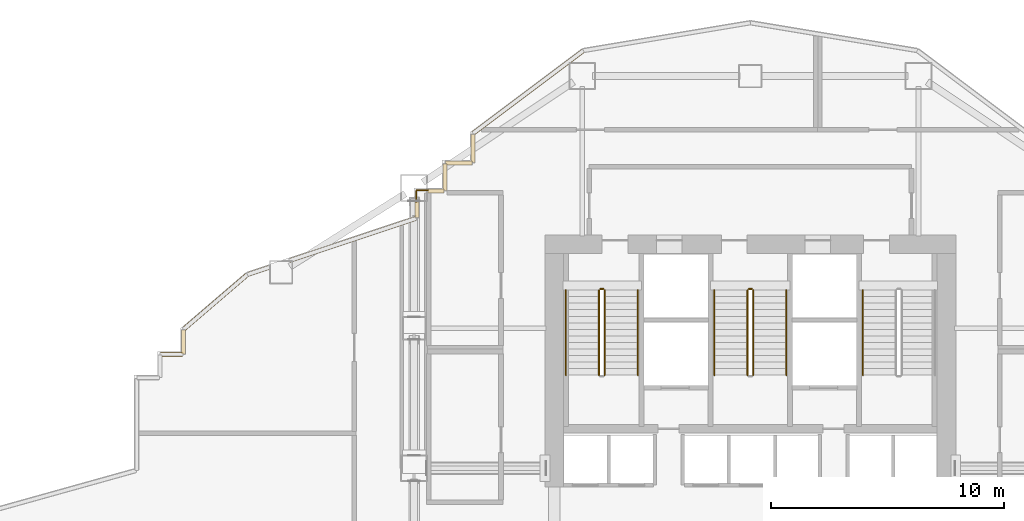
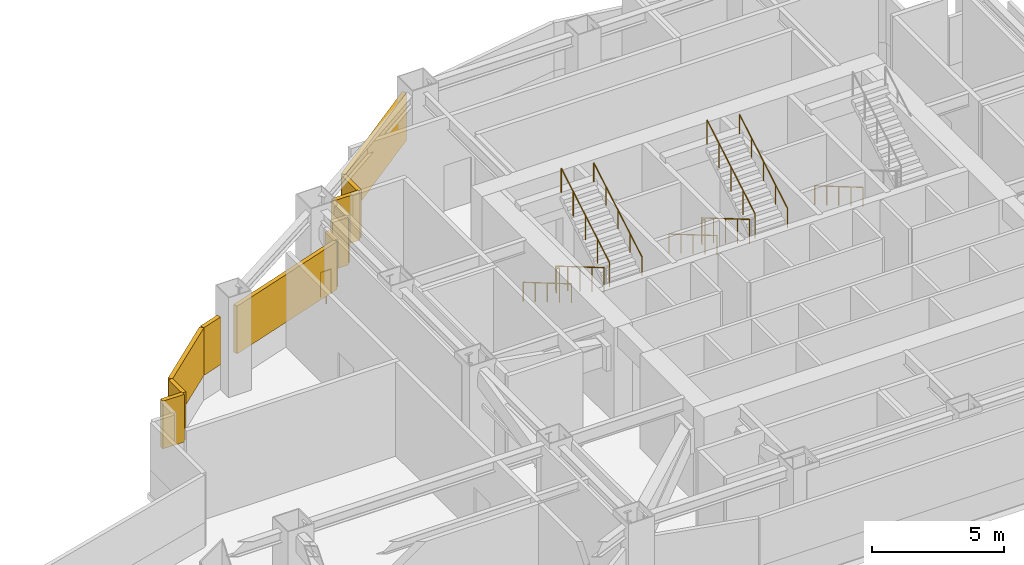
# One storey, part 21 of 23: 13 railings, 11 shading devices.
"""IFC4 building model written with IfcOpenShell, lengths in metres."""

from ifc_helpers import new_model, si_unit, direction, frame, origin, origin_2d, place, context, subcontext, project, spatial, rectangle, circle, extrude, material, type_object, element, save


model = new_model("IFC4")

# Units and contexts
model_context = context("Model", 3, precision=1e-05, world=origin(), true_north=direction((0.0, 1.0)))
body_context = subcontext(model_context, "Body", "Model", "MODEL_VIEW")
ifc_project = project(units=[si_unit("LENGTHUNIT", "METRE"), si_unit("AREAUNIT", "SQUARE_METRE"), si_unit("VOLUMEUNIT", "CUBIC_METRE"), si_unit("PLANEANGLEUNIT", "RADIAN"), si_unit("MASSUNIT", "GRAM", prefix="KILO")], contexts=[model_context])

# Site, building, storey
site_placement = place(None, origin())
site = spatial("IfcSite", under=ifc_project, at=site_placement, CompositionType="ELEMENT")
building_placement = place(site_placement, origin())
building = spatial("IfcBuilding", under=site, at=building_placement, Name="Haolan Belvedere Tower", CompositionType="ELEMENT")
storey_placement = place(building_placement, frame((0.0, 0.0, 89.39990234375)))
storey = spatial("IfcBuildingStorey", under=building, at=storey_placement, Name="L22", CompositionType="ELEMENT", Elevation=89.39990234375)

# Railings
ifc_material_1 = material(Name="Galvanised powder-coated steel guardrail", Category="steel")
railing_type_1 = type_object("IfcRailingType", Name="RL-REF-GRD-1150", PredefinedType="GUARDRAIL", material=ifc_material_1)
railing_1_placement = place(storey_placement, frame((24.090087890625, 45.010009765625, 0.0)))
element("IfcRailing", 1, at=railing_1_placement, inside=storey, type_object=railing_type_1, Name="L22 refuge corner safety guardrail 8A", PredefinedType="GUARDRAIL", context=body_context, shape_type="SweptSolid", body=[
    extrude(circle(Radius=0.02392578125, at=origin_2d()), frame((0.0, 0.0, 1.1259765625), z_axis=(0.0, 1.0, 0.0), x_axis=(-1.0, 0.0, 0.0)), (0.0, 0.0, 1.0), 0.469970703125),
    extrude(circle(Radius=0.02099609375, at=origin_2d()), origin(), (0.0, 0.0, 1.0), 1.101806640625),
    extrude(circle(Radius=0.02099609375, at=origin_2d()), frame((0.0, 0.469970703125, 0.0)), (0.0, 0.0, 1.0), 1.101806640625),
])
railing_2_placement = place(storey_placement, frame((24.1201171875, 45.510009765625, 0.0)))
element("IfcRailing", 2, at=railing_2_placement, inside=storey, type_object=railing_type_1, Name="L22 refuge corner safety guardrail 8B", PredefinedType="GUARDRAIL", context=body_context, shape_type="SweptSolid", body=[
    extrude(circle(Radius=0.02392578125, at=origin_2d()), frame((0.0, 0.0, 1.1259765625), z_axis=(1.0, 0.0, 0.0), x_axis=(0.0, 1.0, 0.0)), (0.0, 0.0, 1.0), 0.469970703125),
    extrude(circle(Radius=0.02099609375, at=origin_2d()), origin(), (0.0, 0.0, 1.0), 1.101806640625),
    extrude(circle(Radius=0.02099609375, at=origin_2d()), frame((0.469970703125, 0.0, 0.0)), (0.0, 0.0, 1.0), 1.101806640625),
])
ifc_material_2 = material(Name="Brushed stainless steel 304", Category="steel")
railing_type_2 = type_object("IfcRailingType", Name="RL-STAIR-GRD-1150", PredefinedType="GUARDRAIL", material=ifc_material_2)
railing_3_placement = place(storey_placement, frame((31.919921875, 41.22998046875, 0.164306640625)))
element("IfcRailing", 3, at=railing_3_placement, inside=storey, type_object=railing_type_2, Name="L22 ST1 stair guard 1", PredefinedType="GUARDRAIL", context=body_context, shape_type="SweptSolid", body=[
    extrude(circle(Radius=0.02392578125, at=origin_2d()), frame((0.0, 0.0, 1.1259765625), z_axis=(0.0, -0.862489892076, 0.506074289079), x_axis=(1.0, 0.0, 0.0)), (0.0, 0.0, 1.0), 4.22021484375),
    extrude(circle(Radius=0.02099609375, at=origin_2d()), origin(), (0.0, 0.0, 1.0), 1.101806640625),
    extrude(circle(Radius=0.02099609375, at=origin_2d()), frame((0.0, -0.909912109375, 0.533935546875)), (0.0, 0.0, 1.0), 1.101806640625),
    extrude(circle(Radius=0.02099609375, at=origin_2d()), frame((0.0, -1.81982421875, 1.06787109375)), (0.0, 0.0, 1.0), 1.101806640625),
    extrude(circle(Radius=0.02099609375, at=origin_2d()), frame((0.0, -2.72998046875, 1.601806640625)), (0.0, 0.0, 1.0), 1.101806640625),
    extrude(circle(Radius=0.02099609375, at=origin_2d()), frame((0.0, -3.639892578125, 2.1357421875)), (0.0, 0.0, 1.0), 1.101806640625),
])
railing_4_placement = place(storey_placement, frame((32.159912109375, 37.590087890625, 2.46435546875)))
element("IfcRailing", 4, at=railing_4_placement, inside=storey, type_object=railing_type_2, Name="L22 ST1 stair guard 3", PredefinedType="GUARDRAIL", context=body_context, shape_type="SweptSolid", body=[
    extrude(circle(Radius=0.02392578125, at=origin_2d()), frame((0.0, 0.0, 1.1259765625), z_axis=(0.0, 0.862489892076, 0.506074289079), x_axis=(-1.0, 0.0, 0.0)), (0.0, 0.0, 1.0), 4.22021484375),
    extrude(circle(Radius=0.02099609375, at=origin_2d()), origin(), (0.0, 0.0, 1.0), 1.101806640625),
    extrude(circle(Radius=0.02099609375, at=origin_2d()), frame((0.0, 0.909912109375, 0.533935546875)), (0.0, 0.0, 1.0), 1.101806640625),
    extrude(circle(Radius=0.02099609375, at=origin_2d()), frame((0.0, 1.81982421875, 1.06787109375)), (0.0, 0.0, 1.0), 1.101806640625),
    extrude(circle(Radius=0.02099609375, at=origin_2d()), frame((0.0, 2.72998046875, 1.601806640625)), (0.0, 0.0, 1.0), 1.101806640625),
    extrude(circle(Radius=0.02099609375, at=origin_2d()), frame((0.0, 3.639892578125, 2.1357421875)), (0.0, 0.0, 1.0), 1.101806640625),
])
railing_5_placement = place(storey_placement, frame((31.969970703125, 41.280029296875, 0.0)))
element("IfcRailing", 5, at=railing_5_placement, inside=storey, type_object=railing_type_2, Name="L22 ST1 stair guard 4", PredefinedType="GUARDRAIL", context=body_context, shape_type="SweptSolid", body=[
    extrude(circle(Radius=0.02392578125, at=origin_2d()), frame((0.0, 0.0, 1.1259765625), z_axis=(1.0, 0.0, 0.0), x_axis=(0.0, 1.0, 0.0)), (0.0, 0.0, 1.0), 0.14013671875),
    extrude(circle(Radius=0.02099609375, at=origin_2d()), origin(), (0.0, 0.0, 1.0), 1.101806640625),
    extrude(circle(Radius=0.02099609375, at=origin_2d()), frame((0.14013671875, 0.0, 0.0)), (0.0, 0.0, 1.0), 1.101806640625),
])
railing_6_placement = place(storey_placement, frame((38.280029296875, 41.22998046875, 0.164306640625)))
element("IfcRailing", 6, at=railing_6_placement, inside=storey, type_object=railing_type_2, Name="L22 ST3 stair guard 1", PredefinedType="GUARDRAIL", context=body_context, shape_type="SweptSolid", body=[
    extrude(circle(Radius=0.02392578125, at=origin_2d()), frame((0.0, 0.0, 1.1259765625), z_axis=(0.0, -0.862489892076, 0.506074289079), x_axis=(1.0, 0.0, 0.0)), (0.0, 0.0, 1.0), 4.22021484375),
    extrude(circle(Radius=0.02099609375, at=origin_2d()), origin(), (0.0, 0.0, 1.0), 1.101806640625),
    extrude(circle(Radius=0.02099609375, at=origin_2d()), frame((0.0, -0.909912109375, 0.533935546875)), (0.0, 0.0, 1.0), 1.101806640625),
    extrude(circle(Radius=0.02099609375, at=origin_2d()), frame((0.0, -1.81982421875, 1.06787109375)), (0.0, 0.0, 1.0), 1.101806640625),
    extrude(circle(Radius=0.02099609375, at=origin_2d()), frame((0.0, -2.72998046875, 1.601806640625)), (0.0, 0.0, 1.0), 1.101806640625),
    extrude(circle(Radius=0.02099609375, at=origin_2d()), frame((0.0, -3.639892578125, 2.1357421875)), (0.0, 0.0, 1.0), 1.101806640625),
])
railing_7_placement = place(storey_placement, frame((38.52001953125, 37.590087890625, 2.46435546875)))
element("IfcRailing", 7, at=railing_7_placement, inside=storey, type_object=railing_type_2, Name="L22 ST3 stair guard 3", PredefinedType="GUARDRAIL", context=body_context, shape_type="SweptSolid", body=[
    extrude(circle(Radius=0.02392578125, at=origin_2d()), frame((0.0, 0.0, 1.1259765625), z_axis=(0.0, 0.862489892076, 0.506074289079), x_axis=(-1.0, 0.0, 0.0)), (0.0, 0.0, 1.0), 4.22021484375),
    extrude(circle(Radius=0.02099609375, at=origin_2d()), origin(), (0.0, 0.0, 1.0), 1.101806640625),
    extrude(circle(Radius=0.02099609375, at=origin_2d()), frame((0.0, 0.909912109375, 0.533935546875)), (0.0, 0.0, 1.0), 1.101806640625),
    extrude(circle(Radius=0.02099609375, at=origin_2d()), frame((0.0, 1.81982421875, 1.06787109375)), (0.0, 0.0, 1.0), 1.101806640625),
    extrude(circle(Radius=0.02099609375, at=origin_2d()), frame((0.0, 2.72998046875, 1.601806640625)), (0.0, 0.0, 1.0), 1.101806640625),
    extrude(circle(Radius=0.02099609375, at=origin_2d()), frame((0.0, 3.639892578125, 2.1357421875)), (0.0, 0.0, 1.0), 1.101806640625),
])
railing_8_placement = place(storey_placement, frame((38.330078125, 41.280029296875, 0.0)))
element("IfcRailing", 8, at=railing_8_placement, inside=storey, type_object=railing_type_2, Name="L22 ST3 stair guard 4", PredefinedType="GUARDRAIL", context=body_context, shape_type="SweptSolid", body=[
    extrude(circle(Radius=0.02392578125, at=origin_2d()), frame((0.0, 0.0, 1.1259765625), z_axis=(1.0, 0.0, 0.0), x_axis=(0.0, 1.0, 0.0)), (0.0, 0.0, 1.0), 0.139892578125),
    extrude(circle(Radius=0.02099609375, at=origin_2d()), origin(), (0.0, 0.0, 1.0), 1.101806640625),
    extrude(circle(Radius=0.02099609375, at=origin_2d()), frame((0.139892578125, 0.0, 0.0)), (0.0, 0.0, 1.0), 1.101806640625),
])
railing_type_3 = type_object("IfcRailingType", Name="RL-STAIR-HND-900", PredefinedType="HANDRAIL", material=ifc_material_2)
railing_9_placement = place(storey_placement, frame((30.5, 41.22998046875, 0.164306640625)))
element("IfcRailing", 9, at=railing_9_placement, inside=storey, type_object=railing_type_3, Name="L22 ST1 stair handrail 1", PredefinedType="HANDRAIL", context=body_context, shape_type="SweptSolid", body=[
    extrude(circle(Radius=0.02392578125, at=origin_2d()), frame((0.0, 0.0, 0.8759765625), z_axis=(0.0, -0.862489892076, 0.506074289079), x_axis=(1.0, 0.0, 0.0)), (0.0, 0.0, 1.0), 4.22021484375),
    extrude(circle(Radius=0.02099609375, at=origin_2d()), origin(), (0.0, 0.0, 1.0), 0.851806640625),
    extrude(circle(Radius=0.02099609375, at=origin_2d()), frame((0.0, -0.909912109375, 0.533935546875)), (0.0, 0.0, 1.0), 0.851806640625),
    extrude(circle(Radius=0.02099609375, at=origin_2d()), frame((0.0, -1.81982421875, 1.06787109375)), (0.0, 0.0, 1.0), 0.851806640625),
    extrude(circle(Radius=0.02099609375, at=origin_2d()), frame((0.0, -2.72998046875, 1.601806640625)), (0.0, 0.0, 1.0), 0.851806640625),
    extrude(circle(Radius=0.02099609375, at=origin_2d()), frame((0.0, -3.639892578125, 2.1357421875)), (0.0, 0.0, 1.0), 0.851806640625),
])
railing_10_placement = place(storey_placement, frame((33.580078125, 37.590087890625, 2.46435546875)))
element("IfcRailing", 10, at=railing_10_placement, inside=storey, type_object=railing_type_3, Name="L22 ST1 stair handrail 2", PredefinedType="HANDRAIL", context=body_context, shape_type="SweptSolid", body=[
    extrude(circle(Radius=0.02392578125, at=origin_2d()), frame((0.0, 0.0, 0.8759765625), z_axis=(0.0, 0.862489892076, 0.506074289079), x_axis=(-1.0, 0.0, 0.0)), (0.0, 0.0, 1.0), 4.22021484375),
    extrude(circle(Radius=0.02099609375, at=origin_2d()), origin(), (0.0, 0.0, 1.0), 0.851806640625),
    extrude(circle(Radius=0.02099609375, at=origin_2d()), frame((0.0, 0.909912109375, 0.533935546875)), (0.0, 0.0, 1.0), 0.851806640625),
    extrude(circle(Radius=0.02099609375, at=origin_2d()), frame((0.0, 1.81982421875, 1.06787109375)), (0.0, 0.0, 1.0), 0.851806640625),
    extrude(circle(Radius=0.02099609375, at=origin_2d()), frame((0.0, 2.72998046875, 1.601806640625)), (0.0, 0.0, 1.0), 0.851806640625),
    extrude(circle(Radius=0.02099609375, at=origin_2d()), frame((0.0, 3.639892578125, 2.1357421875)), (0.0, 0.0, 1.0), 0.851806640625),
])
railing_11_placement = place(storey_placement, frame((36.860107421875, 41.22998046875, 0.164306640625)))
element("IfcRailing", 11, at=railing_11_placement, inside=storey, type_object=railing_type_3, Name="L22 ST3 stair handrail 1", PredefinedType="HANDRAIL", context=body_context, shape_type="SweptSolid", body=[
    extrude(circle(Radius=0.02392578125, at=origin_2d()), frame((0.0, 0.0, 0.8759765625), z_axis=(0.0, -0.862489892076, 0.506074289079), x_axis=(1.0, 0.0, 0.0)), (0.0, 0.0, 1.0), 4.22021484375),
    extrude(circle(Radius=0.02099609375, at=origin_2d()), origin(), (0.0, 0.0, 1.0), 0.851806640625),
    extrude(circle(Radius=0.02099609375, at=origin_2d()), frame((0.0, -0.909912109375, 0.533935546875)), (0.0, 0.0, 1.0), 0.851806640625),
    extrude(circle(Radius=0.02099609375, at=origin_2d()), frame((0.0, -1.81982421875, 1.06787109375)), (0.0, 0.0, 1.0), 0.851806640625),
    extrude(circle(Radius=0.02099609375, at=origin_2d()), frame((0.0, -2.72998046875, 1.601806640625)), (0.0, 0.0, 1.0), 0.851806640625),
    extrude(circle(Radius=0.02099609375, at=origin_2d()), frame((0.0, -3.639892578125, 2.1357421875)), (0.0, 0.0, 1.0), 0.851806640625),
])
railing_12_placement = place(storey_placement, frame((39.93994140625, 37.590087890625, 2.46435546875)))
element("IfcRailing", 12, at=railing_12_placement, inside=storey, type_object=railing_type_3, Name="L22 ST3 stair handrail 2", PredefinedType="HANDRAIL", context=body_context, shape_type="SweptSolid", body=[
    extrude(circle(Radius=0.02392578125, at=origin_2d()), frame((0.0, 0.0, 0.8759765625), z_axis=(0.0, 0.862489892076, 0.506074289079), x_axis=(-1.0, 0.0, 0.0)), (0.0, 0.0, 1.0), 4.22021484375),
    extrude(circle(Radius=0.02099609375, at=origin_2d()), origin(), (0.0, 0.0, 1.0), 0.851806640625),
    extrude(circle(Radius=0.02099609375, at=origin_2d()), frame((0.0, 0.909912109375, 0.533935546875)), (0.0, 0.0, 1.0), 0.851806640625),
    extrude(circle(Radius=0.02099609375, at=origin_2d()), frame((0.0, 1.81982421875, 1.06787109375)), (0.0, 0.0, 1.0), 0.851806640625),
    extrude(circle(Radius=0.02099609375, at=origin_2d()), frame((0.0, 2.72998046875, 1.601806640625)), (0.0, 0.0, 1.0), 0.851806640625),
    extrude(circle(Radius=0.02099609375, at=origin_2d()), frame((0.0, 3.639892578125, 2.1357421875)), (0.0, 0.0, 1.0), 0.851806640625),
])
railing_13_placement = place(storey_placement, frame((43.219970703125, 41.22998046875, 0.164306640625)))
element("IfcRailing", 13, at=railing_13_placement, inside=storey, type_object=railing_type_3, Name="L22 ST2 stair handrail 1", PredefinedType="HANDRAIL", context=body_context, shape_type="SweptSolid", body=[
    extrude(circle(Radius=0.02392578125, at=origin_2d()), frame((0.0, 0.0, 0.8759765625), z_axis=(0.0, -0.862489892076, 0.506074289079), x_axis=(1.0, 0.0, 0.0)), (0.0, 0.0, 1.0), 4.22021484375),
    extrude(circle(Radius=0.02099609375, at=origin_2d()), origin(), (0.0, 0.0, 1.0), 0.851806640625),
    extrude(circle(Radius=0.02099609375, at=origin_2d()), frame((0.0, -0.909912109375, 0.533935546875)), (0.0, 0.0, 1.0), 0.851806640625),
    extrude(circle(Radius=0.02099609375, at=origin_2d()), frame((0.0, -1.81982421875, 1.06787109375)), (0.0, 0.0, 1.0), 0.851806640625),
    extrude(circle(Radius=0.02099609375, at=origin_2d()), frame((0.0, -2.72998046875, 1.601806640625)), (0.0, 0.0, 1.0), 0.851806640625),
    extrude(circle(Radius=0.02099609375, at=origin_2d()), frame((0.0, -3.639892578125, 2.1357421875)), (0.0, 0.0, 1.0), 0.851806640625),
])

# Shading devices
ifc_material_3 = material(Name="Anodised champagne-silver aluminium 6063-T6", Category="aluminium")
shading_device_type = type_object("IfcShadingDeviceType", Name="SHD-LOUV-180", PredefinedType="JALOUSIE", material=ifc_material_3)
shading_device_1_placement = place(storey_placement, frame((28.88427734375, 49.713134765625, 1.14990234375), z_axis=(0.0, 0.0, 1.0), x_axis=(-0.799998928149, -0.600001429133, 0.0)))
element("IfcShadingDevice", 14, at=shading_device_1_placement, inside=storey, type_object=shading_device_type, Name="L22 refuge storm-proof louvre bank 44.1", PredefinedType="JALOUSIE", context=body_context, shape_type="SweptSolid", body=[
    extrude(rectangle(XDim=5.87060546875, YDim=0.179931640625, at=origin_2d()), origin(), (0.0, 0.0, 1.0), 2.199951171875),
])
shading_device_2_placement = place(storey_placement, frame((26.52001953125, 47.302490234375, 1.14990234375), z_axis=(0.0, 0.0, 1.0), x_axis=(0.0, -1.0, 0.0)))
element("IfcShadingDevice", 15, at=shading_device_2_placement, inside=storey, type_object=shading_device_type, Name="L22 refuge storm-proof louvre bank 45.1", PredefinedType="JALOUSIE", context=body_context, shape_type="SweptSolid", body=[
    extrude(rectangle(XDim=1.205078125, YDim=0.179931640625, at=origin_2d()), origin(), (0.0, 0.0, 1.0), 2.199951171875),
])
for number, where, z_axis, x_axis, name in (
    (16, (25.905029296875, 46.679931640625, 1.14990234375), (0.0, 0.0, 1.0), (-1.0, 0.0, 0.0), "L22 refuge storm-proof louvre bank 46.1"),
    (17, (25.320068359375, 46.06494140625, 1.14990234375), (0.0, 0.0, 1.0), (0.0, -1.0, 0.0), "L22 refuge storm-proof louvre bank 47.1"),
):
    element("IfcShadingDevice", number, at=place(storey_placement, frame(where, z_axis=z_axis, x_axis=x_axis)), inside=storey, type_object=shading_device_type, Name=name, PredefinedType="JALOUSIE", context=body_context, shape_type="SweptSolid", body=[
        extrude(rectangle(XDim=1.1298828125, YDim=0.179931640625, at=origin_2d()), origin(), (0.0, 0.0, 1.0), 2.199951171875),
    ])
shading_device_3_placement = place(storey_placement, frame((24.928466796875, 45.47998046875, 1.14990234375), z_axis=(0.0, 0.0, 1.0), x_axis=(-1.0, 0.0, 0.0)))
element("IfcShadingDevice", 18, at=shading_device_3_placement, inside=storey, type_object=shading_device_type, Name="L22 refuge storm-proof louvre bank 48.1", PredefinedType="JALOUSIE", context=body_context, shape_type="SweptSolid", body=[
    extrude(rectangle(XDim=0.68310546875, YDim=0.179931640625, at=origin_2d()), origin(), (0.0, 0.0, 1.0), 2.199951171875),
])
shading_device_4_placement = place(storey_placement, frame((24.1201171875, 44.673095703125, 1.14990234375), z_axis=(0.0, 0.0, 1.0), x_axis=(0.0, -1.0, 0.0)))
element("IfcShadingDevice", 19, at=shading_device_4_placement, inside=storey, type_object=shading_device_type, Name="L22 refuge storm-proof louvre bank 49.1", PredefinedType="JALOUSIE", context=body_context, shape_type="SweptSolid", body=[
    extrude(rectangle(XDim=0.679443359375, YDim=0.179931640625, at=origin_2d()), origin(), (0.0, 0.0, 1.0), 2.199951171875),
])
shading_device_5_placement = place(storey_placement, frame((21.373291015625, 43.39794921875, 1.14990234375), z_axis=(0.0, 0.0, 1.0), x_axis=(-0.948683015593, -0.316228613389, 0.0)))
element("IfcShadingDevice", 20, at=shading_device_5_placement, inside=storey, type_object=shading_device_type, Name="L22 refuge storm-proof louvre bank 50.1", PredefinedType="JALOUSIE", context=body_context, shape_type="SweptSolid", body=[
    extrude(rectangle(XDim=5.690185546875, YDim=0.179931640625, at=origin_2d()), origin(), (0.0, 0.0, 1.0), 2.199951171875),
])
shading_device_6_placement = place(storey_placement, frame((17.333984375, 42.051513671875, 1.14990234375), z_axis=(0.0, 0.0, 1.0), x_axis=(-0.948694053476, -0.316195497912, 0.0)))
element("IfcShadingDevice", 21, at=shading_device_6_placement, inside=storey, type_object=shading_device_type, Name="L22 refuge storm-proof louvre bank 50.2", PredefinedType="JALOUSIE", context=body_context, shape_type="SweptSolid", body=[
    extrude(rectangle(XDim=0.958984375, YDim=0.179931640625, at=origin_2d()), origin(), (0.0, 0.0, 1.0), 2.199951171875),
])
shading_device_7_placement = place(storey_placement, frame((15.489990234375, 40.71923828125, 1.14990234375), z_axis=(0.0, 0.0, 1.0), x_axis=(-0.759248590567, -0.650800720438, 0.0)))
element("IfcShadingDevice", 22, at=shading_device_7_placement, inside=storey, type_object=shading_device_type, Name="L22 refuge storm-proof louvre bank 51.1", PredefinedType="JALOUSIE", context=body_context, shape_type="SweptSolid", body=[
    extrude(rectangle(XDim=3.569091796875, YDim=0.179931640625, at=origin_2d()), origin(), (0.0, 0.0, 1.0), 2.199951171875),
])
shading_device_8_placement = place(storey_placement, frame((14.1201171875, 39.012451171875, 1.14990234375), z_axis=(0.0, 0.0, 1.0), x_axis=(0.0, -1.0, 0.0)))
element("IfcShadingDevice", 23, at=shading_device_8_placement, inside=storey, type_object=shading_device_type, Name="L22 refuge storm-proof louvre bank 52.1", PredefinedType="JALOUSIE", context=body_context, shape_type="SweptSolid", body=[
    extrude(rectangle(XDim=1.02490234375, YDim=0.179931640625, at=origin_2d()), origin(), (0.0, 0.0, 1.0), 2.199951171875),
])
shading_device_9_placement = place(storey_placement, frame((13.60498046875, 38.47998046875, 1.14990234375), z_axis=(0.0, 0.0, 1.0), x_axis=(-1.0, 0.0, 0.0)))
element("IfcShadingDevice", 24, at=shading_device_9_placement, inside=storey, type_object=shading_device_type, Name="L22 refuge storm-proof louvre bank 53.1", PredefinedType="JALOUSIE", context=body_context, shape_type="SweptSolid", body=[
    extrude(rectangle(XDim=0.929931640625, YDim=0.179931640625, at=origin_2d()), origin(), (0.0, 0.0, 1.0), 2.199951171875),
])

save(model, "model.ifc")
